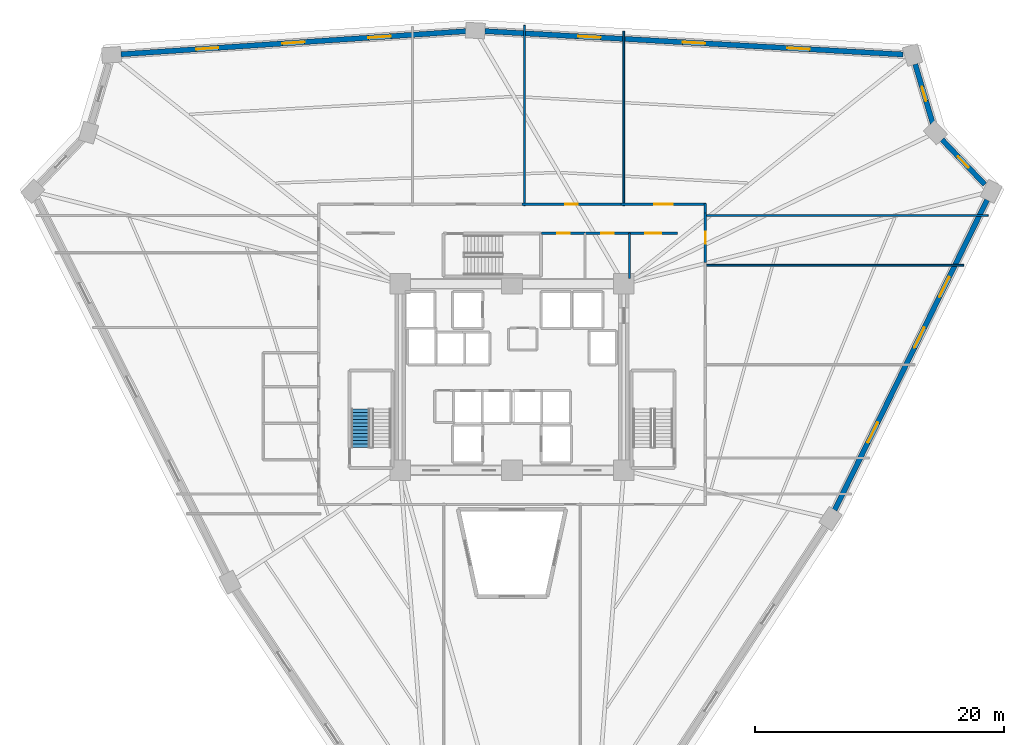
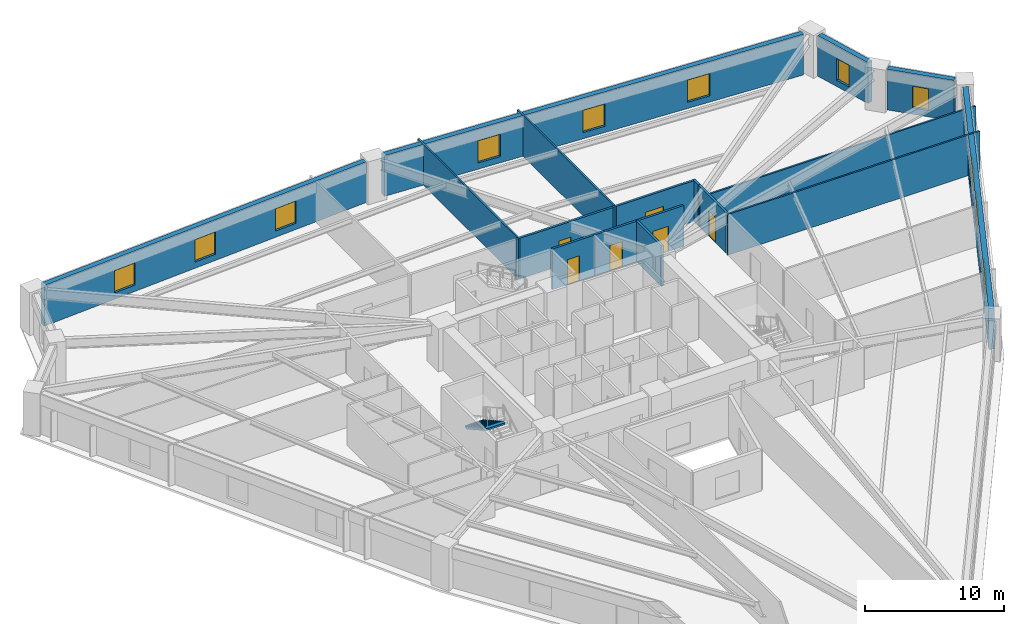
# One storey, part 7 of 9: 17 walls, 11 windows, 6 doors, 1 stair flight, 17 openings, 1 element without a shape of its own.
"""IFC4 building model written with IfcOpenShell, lengths in metres."""

from ifc_helpers import new_model, si_unit, direction, frame, frame_2d, origin, place, context, subcontext, project, spatial, polyline, rectangle, outline, extrude, source, transform, mapped, material, layer, layer_set, type_object, element, fill, aggregate, save


model = new_model("IFC4")

# Units and contexts
model_context = context("Model", 3, precision=1e-05, world=origin(), true_north=direction((0.0, 1.0)))
body_context = subcontext(model_context, "Body", "Model", "MODEL_VIEW")
ifc_project = project(units=[si_unit("LENGTHUNIT", "METRE"), si_unit("AREAUNIT", "SQUARE_METRE"), si_unit("VOLUMEUNIT", "CUBIC_METRE"), si_unit("PLANEANGLEUNIT", "RADIAN"), si_unit("MASSUNIT", "GRAM", prefix="KILO")], contexts=[model_context])

# Site, building, storey
site_placement = place(None, origin())
site = spatial("IfcSite", under=ifc_project, at=site_placement, CompositionType="ELEMENT")
building_placement = place(site_placement, origin())
building = spatial("IfcBuilding", under=site, at=building_placement, Name="Liaohun Quay Tower", CompositionType="ELEMENT")
storey_placement = place(building_placement, frame((0.0, 0.0, 55.5)))
storey = spatial("IfcBuildingStorey", under=building, at=storey_placement, Name="L14", CompositionType="ELEMENT", Elevation=55.5)

# Wall, openings, windows
ifc_material_1 = material(Name="Precast concrete C50 insulated sandwich", Category="concrete")
ifc_layer_1 = layer(ifc_material_1, 0.419921875, Name="Precast concrete C50 insulated sandwich", Category="concrete")
ifc_layer_set_1 = layer_set([ifc_layer_1], Name="Precast concrete C50 insulated sandwich")
wall_type_1 = type_object("IfcWallType", Name="WAL-EXT-Z12", PredefinedType="SOLIDWALL", material=ifc_layer_set_1)
wall_1_placement = place(storey_placement, frame((85.967041015625, 43.301025390625, 0.0), z_axis=(0.0, 0.0, 1.0), x_axis=(0.441079786623, 0.897467894597, 0.0)))
wall_1 = element("IfcWall", 1, at=wall_1_placement, inside=storey, type_object=wall_type_1, Name="L14 Brutalist Precast Pier Wall 03", PredefinedType="SOLIDWALL", context=body_context, shape_type="SweptSolid", body=[
    extrude(rectangle(XDim=27.813720703125, YDim=0.419921875, at=frame_2d((13.90673828125, 0.0))), origin(), (0.0, 0.0, 1.0), 3.570068359375),
])
shared_shape_1 = source(origin(), body_context, "Body", "SweptSolid", [
    extrude(rectangle(XDim=1.800048828125, YDim=1.949951171875, at=frame_2d((0.89990234375, 0.97509765625))), frame((0.0, 0.219970703125, 0.0), z_axis=(0.0, -1.0, 0.0), x_axis=(1.0, 0.0, 0.0)), (0.0, 0.0, 1.0), 0.43994140625),
])
opening_1_placement = place(wall_1_placement, frame((6.052978515625, 0.0, 0.550048828125)))
opening_1 = element("IfcOpeningElement", 2, at=opening_1_placement, cuts=wall_1, Name="Opening W01", PredefinedType="OPENING", context=body_context, shape_type="MappedRepresentation", body=[
    mapped(shared_shape_1, transform((0.0, 0.0, 0.0), x_axis=(1.0, 0.0, 0.0), y_axis=(0.0, 1.0, 0.0), z_axis=(0.0, 0.0, 1.0), scale=1.0)),
])
opening_2_placement = place(wall_1_placement, frame((14.556884765625, 0.0, 0.550048828125)))
opening_2 = element("IfcOpeningElement", 3, at=opening_2_placement, cuts=wall_1, Name="Opening W01", PredefinedType="OPENING", context=body_context, shape_type="MappedRepresentation", body=[
    mapped(shared_shape_1, transform((0.0, 0.0, 0.0), x_axis=(1.0, 0.0, 0.0), y_axis=(0.0, 1.0, 0.0), z_axis=(0.0, 0.0, 1.0), scale=1.0)),
])
opening_3_placement = place(wall_1_placement, frame((19.110107421875, 0.0, 0.550048828125)))
opening_3 = element("IfcOpeningElement", 4, at=opening_3_placement, cuts=wall_1, Name="Opening W01", PredefinedType="OPENING", context=body_context, shape_type="MappedRepresentation", body=[
    mapped(shared_shape_1, transform((0.0, 0.0, 0.0), x_axis=(1.0, 0.0, 0.0), y_axis=(0.0, 1.0, 0.0), z_axis=(0.0, 0.0, 1.0), scale=1.0)),
])
ifc_material_2 = material(Name="Triple Low-E argon glazing in thermally broken aluminium", Category="aluminium")
window_type_1 = type_object("IfcWindowType", Name="WIN-PUN-Z1", PartitioningType="DOUBLE_PANEL_VERTICAL", PredefinedType="WINDOW", material=ifc_material_2)
shared_shape_2 = source(origin(), body_context, "Body", "SweptSolid", [
    extrude(rectangle(XDim=1.800048828125, YDim=1.949951171875, at=frame_2d((0.89990234375, 0.97509765625))), frame((0.0, 0.030029296875, 0.0), z_axis=(0.0, -1.0, 0.0), x_axis=(1.0, 0.0, 0.0)), (0.0, 0.0, 1.0), 0.06005859375),
])
window_1_placement = place(opening_1_placement, origin())
window_1 = element("IfcWindow", 5, at=window_1_placement, inside=storey, type_object=window_type_1, Name="L14 Recessed Cold-Climate Punched Window 03-1", OverallHeight=1.949951171875, OverallWidth=1.800048828125, PartitioningType="DOUBLE_PANEL_VERTICAL", PredefinedType="WINDOW", context=body_context, shape_type="MappedRepresentation", body=[
    mapped(shared_shape_2, transform((0.0, 0.0, 0.0), x_axis=(1.0, 0.0, 0.0), y_axis=(0.0, 1.0, 0.0), z_axis=(0.0, 0.0, 1.0), scale=1.0)),
])
fill(opening_1, window_1)
window_2_placement = place(opening_2_placement, origin())
window_2 = element("IfcWindow", 6, at=window_2_placement, inside=storey, type_object=window_type_1, Name="L14 Recessed Cold-Climate Punched Window 03-2", OverallHeight=1.949951171875, OverallWidth=1.800048828125, PartitioningType="DOUBLE_PANEL_VERTICAL", PredefinedType="WINDOW", context=body_context, shape_type="MappedRepresentation", body=[
    mapped(shared_shape_2, transform((0.0, 0.0, 0.0), x_axis=(1.0, 0.0, 0.0), y_axis=(0.0, 1.0, 0.0), z_axis=(0.0, 0.0, 1.0), scale=1.0)),
])
fill(opening_2, window_2)
window_3_placement = place(opening_3_placement, origin())
window_3 = element("IfcWindow", 7, at=window_3_placement, inside=storey, type_object=window_type_1, Name="L14 Recessed Cold-Climate Punched Window 03-3", OverallHeight=1.949951171875, OverallWidth=1.800048828125, PartitioningType="DOUBLE_PANEL_VERTICAL", PredefinedType="WINDOW", context=body_context, shape_type="MappedRepresentation", body=[
    mapped(shared_shape_2, transform((0.0, 0.0, 0.0), x_axis=(1.0, 0.0, 0.0), y_axis=(0.0, 1.0, 0.0), z_axis=(0.0, 0.0, 1.0), scale=1.0)),
])
fill(opening_3, window_3)

# Wall, opening, window
wall_2_placement = place(storey_placement, frame((98.044921875, 69.50390625, 0.0), z_axis=(0.0, 0.0, 1.0), x_axis=(-0.689330241698, 0.724447249895, 0.0)))
wall_2 = element("IfcWall", 8, at=wall_2_placement, inside=storey, type_object=wall_type_1, Name="L14 Brutalist Precast Pier Wall 04", PredefinedType="SOLIDWALL", context=body_context, shape_type="SweptSolid", body=[
    extrude(rectangle(XDim=4.99169921875, YDim=0.419921875, at=frame_2d((2.495849609375, 0.0))), origin(), (0.0, 0.0, 1.0), 3.570068359375),
])
shared_shape_3 = source(origin(), body_context, "Body", "SweptSolid", [
    extrude(rectangle(XDim=1.199951171875, YDim=1.89990234375, at=frame_2d((0.60009765625, 0.949951171875))), frame((0.0, 0.219970703125, 0.0), z_axis=(0.0, -1.0, 0.0), x_axis=(1.0, 0.0, 0.0)), (0.0, 0.0, 1.0), 0.43994140625),
])
opening_4_placement = place(wall_2_placement, frame((1.89599609375, 0.0, 0.550048828125)))
opening_4 = element("IfcOpeningElement", 9, at=opening_4_placement, cuts=wall_2, Name="Opening W05", PredefinedType="OPENING", context=body_context, shape_type="MappedRepresentation", body=[
    mapped(shared_shape_3, transform((0.0, 0.0, 0.0), x_axis=(1.0, 0.0, 0.0), y_axis=(0.0, 1.0, 0.0), z_axis=(0.0, 0.0, 1.0), scale=1.0)),
])
ifc_material_3 = material(Name="Triple Low-E corner notch glazing", Category="glass")
window_type_2 = type_object("IfcWindowType", Name="WIN-NOTCH", PartitioningType="SINGLE_PANEL", PredefinedType="WINDOW", material=ifc_material_3)
shared_shape_4 = source(origin(), body_context, "Body", "SweptSolid", [
    extrude(rectangle(XDim=1.199951171875, YDim=1.89990234375, at=frame_2d((0.60009765625, 0.949951171875))), frame((0.0, 0.030029296875, 0.0), z_axis=(0.0, -1.0, 0.0), x_axis=(1.0, 0.0, 0.0)), (0.0, 0.0, 1.0), 0.06005859375),
])
window_4_placement = place(opening_4_placement, origin())
window_4 = element("IfcWindow", 10, at=window_4_placement, inside=storey, type_object=window_type_2, Name="L14 Corner Notch Window W05-04", OverallHeight=1.89990234375, OverallWidth=1.199951171875, PartitioningType="SINGLE_PANEL", PredefinedType="WINDOW", context=body_context, shape_type="MappedRepresentation", body=[
    mapped(shared_shape_4, transform((0.0, 0.0, 0.0), x_axis=(1.0, 0.0, 0.0), y_axis=(0.0, 1.0, 0.0), z_axis=(0.0, 0.0, 1.0), scale=1.0)),
])
fill(opening_4, window_4)

wall_3_placement = place(storey_placement, frame((93.861083984375, 74.407958984375, 0.0), z_axis=(0.0, 0.0, 1.0), x_axis=(-0.282900765271, 0.959149183917, 0.0)))
wall_3 = element("IfcWall", 11, at=wall_3_placement, inside=storey, type_object=wall_type_1, Name="L14 Brutalist Precast Pier Wall 05", PredefinedType="SOLIDWALL", context=body_context, shape_type="SweptSolid", body=[
    extrude(rectangle(XDim=4.984619140625, YDim=0.419921875, at=frame_2d((2.4921875, 0.0))), origin(), (0.0, 0.0, 1.0), 3.570068359375),
])
opening_5_placement = place(wall_3_placement, frame((1.89208984375, 0.0, 0.550048828125)))
opening_5 = element("IfcOpeningElement", 12, at=opening_5_placement, cuts=wall_3, Name="Opening W05", PredefinedType="OPENING", context=body_context, shape_type="MappedRepresentation", body=[
    mapped(shared_shape_3, transform((0.0, 0.0, 0.0), x_axis=(1.0, 0.0, 0.0), y_axis=(0.0, 1.0, 0.0), z_axis=(0.0, 0.0, 1.0), scale=1.0)),
])
window_5_placement = place(opening_5_placement, origin())
window_5 = element("IfcWindow", 13, at=window_5_placement, inside=storey, type_object=window_type_2, Name="L14 Corner Notch Window W05-05", OverallHeight=1.89990234375, OverallWidth=1.199951171875, PartitioningType="SINGLE_PANEL", PredefinedType="WINDOW", context=body_context, shape_type="MappedRepresentation", body=[
    mapped(shared_shape_4, transform((0.0, 0.0, 0.0), x_axis=(1.0, 0.0, 0.0), y_axis=(0.0, 1.0, 0.0), z_axis=(0.0, 0.0, 1.0), scale=1.0)),
])
fill(opening_5, window_5)

# Wall, openings, windows
wall_4_placement = place(storey_placement, frame((91.470947265625, 79.966064453125, 0.0), z_axis=(0.0, 0.0, 1.0), x_axis=(-0.998444156387, 0.055760797854, 0.0)))
wall_4 = element("IfcWall", 14, at=wall_4_placement, inside=storey, type_object=wall_type_1, Name="L14 Brutalist Precast Pier Wall 06", PredefinedType="SOLIDWALL", context=body_context, shape_type="SweptSolid", body=[
    extrude(rectangle(XDim=33.71337890625, YDim=0.419921875, at=frame_2d((16.856689453125, 0.0))), origin(), (0.0, 0.0, 1.0), 3.570068359375),
])
opening_6_placement = place(wall_4_placement, frame((7.528076171875, 0.0, 0.550048828125)))
opening_6 = element("IfcOpeningElement", 15, at=opening_6_placement, cuts=wall_4, Name="Opening W01", PredefinedType="OPENING", context=body_context, shape_type="MappedRepresentation", body=[
    mapped(shared_shape_1, transform((0.0, 0.0, 0.0), x_axis=(1.0, 0.0, 0.0), y_axis=(0.0, 1.0, 0.0), z_axis=(0.0, 0.0, 1.0), scale=1.0)),
])
opening_7_placement = place(wall_4_placement, frame((15.95703125, 0.0, 0.550048828125)))
opening_7 = element("IfcOpeningElement", 16, at=opening_7_placement, cuts=wall_4, Name="Opening W01", PredefinedType="OPENING", context=body_context, shape_type="MappedRepresentation", body=[
    mapped(shared_shape_1, transform((0.0, 0.0, 0.0), x_axis=(1.0, 0.0, 0.0), y_axis=(0.0, 1.0, 0.0), z_axis=(0.0, 0.0, 1.0), scale=1.0)),
])
opening_8_placement = place(wall_4_placement, frame((24.385009765625, 0.0, 0.550048828125)))
opening_8 = element("IfcOpeningElement", 17, at=opening_8_placement, cuts=wall_4, Name="Opening W01", PredefinedType="OPENING", context=body_context, shape_type="MappedRepresentation", body=[
    mapped(shared_shape_1, transform((0.0, 0.0, 0.0), x_axis=(1.0, 0.0, 0.0), y_axis=(0.0, 1.0, 0.0), z_axis=(0.0, 0.0, 1.0), scale=1.0)),
])
window_6_placement = place(opening_6_placement, origin())
window_6 = element("IfcWindow", 18, at=window_6_placement, inside=storey, type_object=window_type_1, Name="L14 Recessed Cold-Climate Punched Window 06-1", OverallHeight=1.949951171875, OverallWidth=1.800048828125, PartitioningType="DOUBLE_PANEL_VERTICAL", PredefinedType="WINDOW", context=body_context, shape_type="MappedRepresentation", body=[
    mapped(shared_shape_2, transform((0.0, 0.0, 0.0), x_axis=(1.0, 0.0, 0.0), y_axis=(0.0, 1.0, 0.0), z_axis=(0.0, 0.0, 1.0), scale=1.0)),
])
fill(opening_6, window_6)
window_7_placement = place(opening_7_placement, origin())
window_7 = element("IfcWindow", 19, at=window_7_placement, inside=storey, type_object=window_type_1, Name="L14 Recessed Cold-Climate Punched Window 06-2", OverallHeight=1.949951171875, OverallWidth=1.800048828125, PartitioningType="DOUBLE_PANEL_VERTICAL", PredefinedType="WINDOW", context=body_context, shape_type="MappedRepresentation", body=[
    mapped(shared_shape_2, transform((0.0, 0.0, 0.0), x_axis=(1.0, 0.0, 0.0), y_axis=(0.0, 1.0, 0.0), z_axis=(0.0, 0.0, 1.0), scale=1.0)),
])
fill(opening_7, window_7)
window_8_placement = place(opening_8_placement, origin())
window_8 = element("IfcWindow", 20, at=window_8_placement, inside=storey, type_object=window_type_1, Name="L14 Recessed Cold-Climate Punched Window 06-3", OverallHeight=1.949951171875, OverallWidth=1.800048828125, PartitioningType="DOUBLE_PANEL_VERTICAL", PredefinedType="WINDOW", context=body_context, shape_type="MappedRepresentation", body=[
    mapped(shared_shape_2, transform((0.0, 0.0, 0.0), x_axis=(1.0, 0.0, 0.0), y_axis=(0.0, 1.0, 0.0), z_axis=(0.0, 0.0, 1.0), scale=1.0)),
])
fill(opening_8, window_8)

wall_5_placement = place(storey_placement, frame((56.282958984375, 81.837890625, 0.0), z_axis=(0.0, 0.0, 1.0), x_axis=(-0.99776671065, -0.066795142933, 0.0)))
wall_5 = element("IfcWall", 21, at=wall_5_placement, inside=storey, type_object=wall_type_1, Name="L14 Brutalist Precast Pier Wall 07", PredefinedType="SOLIDWALL", context=body_context, shape_type="SweptSolid", body=[
    extrude(rectangle(XDim=27.81494140625, YDim=0.419921875, at=frame_2d((13.907470703125, 0.0))), origin(), (0.0, 0.0, 1.0), 3.570068359375),
])
opening_9_placement = place(wall_5_placement, frame((6.053955078125, 0.0, 0.550048828125)))
opening_9 = element("IfcOpeningElement", 22, at=opening_9_placement, cuts=wall_5, Name="Opening W01", PredefinedType="OPENING", context=body_context, shape_type="MappedRepresentation", body=[
    mapped(shared_shape_1, transform((0.0, 0.0, 0.0), x_axis=(1.0, 0.0, 0.0), y_axis=(0.0, 1.0, 0.0), z_axis=(0.0, 0.0, 1.0), scale=1.0)),
])
opening_10_placement = place(wall_5_placement, frame((13.008056640625, 0.0, 0.550048828125)))
opening_10 = element("IfcOpeningElement", 23, at=opening_10_placement, cuts=wall_5, Name="Opening W01", PredefinedType="OPENING", context=body_context, shape_type="MappedRepresentation", body=[
    mapped(shared_shape_1, transform((0.0, 0.0, 0.0), x_axis=(1.0, 0.0, 0.0), y_axis=(0.0, 1.0, 0.0), z_axis=(0.0, 0.0, 1.0), scale=1.0)),
])
opening_11_placement = place(wall_5_placement, frame((19.9609375, 0.0, 0.550048828125)))
opening_11 = element("IfcOpeningElement", 24, at=opening_11_placement, cuts=wall_5, Name="Opening W01", PredefinedType="OPENING", context=body_context, shape_type="MappedRepresentation", body=[
    mapped(shared_shape_1, transform((0.0, 0.0, 0.0), x_axis=(1.0, 0.0, 0.0), y_axis=(0.0, 1.0, 0.0), z_axis=(0.0, 0.0, 1.0), scale=1.0)),
])
window_9_placement = place(opening_9_placement, origin())
window_9 = element("IfcWindow", 25, at=window_9_placement, inside=storey, type_object=window_type_1, Name="L14 Recessed Cold-Climate Punched Window 07-1", OverallHeight=1.949951171875, OverallWidth=1.800048828125, PartitioningType="DOUBLE_PANEL_VERTICAL", PredefinedType="WINDOW", context=body_context, shape_type="MappedRepresentation", body=[
    mapped(shared_shape_2, transform((0.0, 0.0, 0.0), x_axis=(1.0, 0.0, 0.0), y_axis=(0.0, 1.0, 0.0), z_axis=(0.0, 0.0, 1.0), scale=1.0)),
])
fill(opening_9, window_9)
window_10_placement = place(opening_10_placement, origin())
window_10 = element("IfcWindow", 26, at=window_10_placement, inside=storey, type_object=window_type_1, Name="L14 Recessed Cold-Climate Punched Window 07-2", OverallHeight=1.949951171875, OverallWidth=1.800048828125, PartitioningType="DOUBLE_PANEL_VERTICAL", PredefinedType="WINDOW", context=body_context, shape_type="MappedRepresentation", body=[
    mapped(shared_shape_2, transform((0.0, 0.0, 0.0), x_axis=(1.0, 0.0, 0.0), y_axis=(0.0, 1.0, 0.0), z_axis=(0.0, 0.0, 1.0), scale=1.0)),
])
fill(opening_10, window_10)
window_11_placement = place(opening_11_placement, origin())
window_11 = element("IfcWindow", 27, at=window_11_placement, inside=storey, type_object=window_type_1, Name="L14 Recessed Cold-Climate Punched Window 07-3", OverallHeight=1.949951171875, OverallWidth=1.800048828125, PartitioningType="DOUBLE_PANEL_VERTICAL", PredefinedType="WINDOW", context=body_context, shape_type="MappedRepresentation", body=[
    mapped(shared_shape_2, transform((0.0, 0.0, 0.0), x_axis=(1.0, 0.0, 0.0), y_axis=(0.0, 1.0, 0.0), z_axis=(0.0, 0.0, 1.0), scale=1.0)),
])
fill(opening_11, window_11)

# Wall, opening, door
ifc_material_4 = material(Name="Autoclaved aerated concrete blockwork", Category="masonry")
ifc_layer_2 = layer(ifc_material_4, 0.179931640625, Name="Autoclaved aerated concrete blockwork", Category="masonry")
ifc_layer_set_2 = layer_set([ifc_layer_2], Name="Autoclaved aerated concrete blockwork")
wall_type_2 = type_object("IfcWallType", Name="WAL-PRT-COR", PredefinedType="PARTITIONING", material=ifc_layer_set_2)
wall_6_placement = place(storey_placement, frame((62.389892578125, 65.580078125, 0.0), z_axis=(0.0, 0.0, 1.0), x_axis=(1.0, 0.0, 0.0)))
wall_6 = element("IfcWall", 28, at=wall_6_placement, inside=storey, type_object=wall_type_2, Name="L14 Interior Partition Wall 006", PredefinedType="PARTITIONING", context=body_context, shape_type="SweptSolid", body=[
    extrude(rectangle(XDim=3.489990234375, YDim=0.179931640625, at=frame_2d((1.7451171875, 0.0))), origin(), (0.0, 0.0, 1.0), 3.570068359375),
])
shared_shape_5 = source(origin(), body_context, "Body", "SweptSolid", [
    extrude(rectangle(XDim=1.0, YDim=2.199951171875, at=frame_2d((0.5, 1.10009765625))), frame((0.0, 0.099853515625, 0.0), z_axis=(0.0, -1.0, 0.0), x_axis=(1.0, 0.0, 0.0)), (0.0, 0.0, 1.0), 0.199951171875),
])
opening_12_placement = place(wall_6_placement, frame((1.2451171875, 0.0, 0.0)))
opening_12 = element("IfcOpeningElement", 29, at=opening_12_placement, cuts=wall_6, Name="Opening OD1", PredefinedType="OPENING", context=body_context, shape_type="MappedRepresentation", body=[
    mapped(shared_shape_5, transform((0.0, 0.0, 0.0), x_axis=(1.0, 0.0, 0.0), y_axis=(0.0, 1.0, 0.0), z_axis=(0.0, 0.0, 1.0), scale=1.0)),
])
ifc_material_5 = material(Name="Solid-core oak veneer timber leaf in steel frame", Category="steel")
door_type_1 = type_object("IfcDoorType", Name="DOR-OFF-1000", OperationType="NOTDEFINED", PredefinedType="DOOR", material=ifc_material_5)
shared_shape_6 = source(origin(), body_context, "Body", "SweptSolid", [
    extrude(rectangle(XDim=1.0, YDim=2.199951171875, at=frame_2d((0.5, 1.10009765625))), frame((0.0, 0.02490234375, 0.0), z_axis=(0.0, -1.0, 0.0), x_axis=(1.0, 0.0, 0.0)), (0.0, 0.0, 1.0), 0.050048828125),
])
door_1_placement = place(opening_12_placement, origin())
door_1 = element("IfcDoor", 30, at=door_1_placement, inside=storey, type_object=door_type_1, Name="L14 North-East Archive Store Door", OperationType="SINGLE_SWING_RIGHT", OverallHeight=2.199951171875, OverallWidth=1.0, PredefinedType="DOOR", context=body_context, shape_type="MappedRepresentation", body=[
    mapped(shared_shape_6, transform((0.0, 0.0, 0.0), x_axis=(1.0, 0.0, 0.0), y_axis=(0.0, 1.0, 0.0), z_axis=(0.0, 0.0, 1.0), scale=1.0)),
])
fill(opening_12, door_1)

wall_7_placement = place(storey_placement, frame((65.919921875, 65.580078125, 0.0), z_axis=(0.0, 0.0, 1.0), x_axis=(1.0, 0.0, 0.0)))
wall_7 = element("IfcWall", 31, at=wall_7_placement, inside=storey, type_object=wall_type_2, Name="L14 Interior Partition Wall 007", PredefinedType="PARTITIONING", context=body_context, shape_type="SweptSolid", body=[
    extrude(rectangle(XDim=3.5400390625, YDim=0.179931640625, at=frame_2d((1.77001953125, 0.0))), origin(), (0.0, 0.0, 1.0), 3.570068359375),
])
opening_13_placement = place(wall_7_placement, frame((1.27001953125, 0.0, 0.0)))
opening_13 = element("IfcOpeningElement", 32, at=opening_13_placement, cuts=wall_7, Name="Opening OD1", PredefinedType="OPENING", context=body_context, shape_type="MappedRepresentation", body=[
    mapped(shared_shape_5, transform((0.0, 0.0, 0.0), x_axis=(1.0, 0.0, 0.0), y_axis=(0.0, 1.0, 0.0), z_axis=(0.0, 0.0, 1.0), scale=1.0)),
])
door_2_placement = place(opening_13_placement, origin())
door_2 = element("IfcDoor", 33, at=door_2_placement, inside=storey, type_object=door_type_1, Name="L14 North-East Pantry Room Door", OperationType="SINGLE_SWING_LEFT", OverallHeight=2.199951171875, OverallWidth=1.0, PredefinedType="DOOR", context=body_context, shape_type="MappedRepresentation", body=[
    mapped(shared_shape_6, transform((0.0, 0.0, 0.0), x_axis=(1.0, 0.0, 0.0), y_axis=(0.0, 1.0, 0.0), z_axis=(0.0, 0.0, 1.0), scale=1.0)),
])
fill(opening_13, door_2)

wall_8_placement = place(storey_placement, frame((69.4599609375, 65.580078125, 0.0), z_axis=(0.0, 0.0, 1.0), x_axis=(1.0, 0.0, 0.0)))
wall_8 = element("IfcWall", 34, at=wall_8_placement, inside=storey, type_object=wall_type_2, Name="L14 Interior Partition Wall 009", PredefinedType="PARTITIONING", context=body_context, shape_type="SweptSolid", body=[
    extrude(rectangle(XDim=3.840087890625, YDim=0.179931640625, at=frame_2d((1.919921875, 0.0))), origin(), (0.0, 0.0, 1.0), 3.570068359375),
])
shared_shape_7 = source(origin(), body_context, "Body", "SweptSolid", [
    extrude(rectangle(XDim=1.300048828125, YDim=2.199951171875, at=frame_2d((0.64990234375, 1.10009765625))), frame((0.0, 0.099853515625, 0.0), z_axis=(0.0, -1.0, 0.0), x_axis=(1.0, 0.0, 0.0)), (0.0, 0.0, 1.0), 0.199951171875),
])
opening_14_placement = place(wall_8_placement, frame((1.27001953125, 0.0, 0.0)))
opening_14 = element("IfcOpeningElement", 35, at=opening_14_placement, cuts=wall_8, Name="Opening FD1", PredefinedType="OPENING", context=body_context, shape_type="MappedRepresentation", body=[
    mapped(shared_shape_7, transform((0.0, 0.0, 0.0), x_axis=(1.0, 0.0, 0.0), y_axis=(0.0, 1.0, 0.0), z_axis=(0.0, 0.0, 1.0), scale=1.0)),
])
ifc_material_6 = material(Name="Galvanised steel smokeproof fire door", Category="steel")
door_type_2 = type_object("IfcDoorType", Name="DOR-FFL-1300", OperationType="NOTDEFINED", PredefinedType="DOOR", material=ifc_material_6)
shared_shape_8 = source(origin(), body_context, "Body", "SweptSolid", [
    extrude(rectangle(XDim=1.300048828125, YDim=2.199951171875, at=frame_2d((0.64990234375, 1.10009765625))), frame((0.0, 0.02490234375, 0.0), z_axis=(0.0, -1.0, 0.0), x_axis=(1.0, 0.0, 0.0)), (0.0, 0.0, 1.0), 0.050048828125),
])
door_3_placement = place(opening_14_placement, origin())
door_3 = element("IfcDoor", 36, at=door_3_placement, inside=storey, type_object=door_type_2, Name="L14 East Core Vestibule Door", OperationType="SINGLE_SWING_LEFT", OverallHeight=2.199951171875, OverallWidth=1.300048828125, PredefinedType="DOOR", context=body_context, shape_type="MappedRepresentation", body=[
    mapped(shared_shape_8, transform((0.0, 0.0, 0.0), x_axis=(1.0, 0.0, 0.0), y_axis=(0.0, 1.0, 0.0), z_axis=(0.0, 0.0, 1.0), scale=1.0)),
])
fill(opening_14, door_3)

wall_9_placement = place(storey_placement, frame((75.56005859375, 67.215087890625, 0.0), z_axis=(0.0, 0.0, 1.0), x_axis=(0.0, -1.0, 0.0)))
wall_9 = element("IfcWall", 37, at=wall_9_placement, inside=storey, type_object=wall_type_2, Name="L14 Interior Partition Wall 011", PredefinedType="PARTITIONING", context=body_context, shape_type="SweptSolid", body=[
    extrude(rectangle(XDim=4.0, YDim=0.179931640625, at=frame_2d((2.0, 0.0))), origin(), (0.0, 0.0, 1.0), 3.570068359375),
])
opening_15_placement = place(wall_9_placement, frame((1.5, 0.0, 0.0)))
opening_15 = element("IfcOpeningElement", 38, at=opening_15_placement, cuts=wall_9, Name="Opening OD1", PredefinedType="OPENING", context=body_context, shape_type="MappedRepresentation", body=[
    mapped(shared_shape_5, transform((0.0, 0.0, 0.0), x_axis=(1.0, 0.0, 0.0), y_axis=(0.0, 1.0, 0.0), z_axis=(0.0, 0.0, 1.0), scale=1.0)),
])
door_4_placement = place(opening_15_placement, origin())
door_4 = element("IfcDoor", 39, at=door_4_placement, inside=storey, type_object=door_type_1, Name="L14 Digital Prototyping Laboratory 02 Door", OperationType="SINGLE_SWING_LEFT", OverallHeight=2.199951171875, OverallWidth=1.0, PredefinedType="DOOR", context=body_context, shape_type="MappedRepresentation", body=[
    mapped(shared_shape_6, transform((0.0, 0.0, 0.0), x_axis=(1.0, 0.0, 0.0), y_axis=(0.0, 1.0, 0.0), z_axis=(0.0, 0.0, 1.0), scale=1.0)),
])
fill(opening_15, door_4)

wall_10_placement = place(storey_placement, frame((68.784912109375, 67.909912109375, 0.0), z_axis=(0.0, 0.0, 1.0), x_axis=(1.0, 0.0, 0.0)))
wall_10 = element("IfcWall", 40, at=wall_10_placement, inside=storey, type_object=wall_type_2, Name="L14 Interior Partition Wall 012", PredefinedType="PARTITIONING", context=body_context, shape_type="SweptSolid", body=[
    extrude(rectangle(XDim=6.844970703125, YDim=0.179931640625, at=frame_2d((3.42236328125, 0.0))), origin(), (0.0, 0.0, 1.0), 3.570068359375),
])
shared_shape_9 = source(origin(), body_context, "Body", "SweptSolid", [
    extrude(rectangle(XDim=1.5, YDim=2.199951171875, at=frame_2d((0.75, 1.10009765625))), frame((0.0, 0.099853515625, 0.0), z_axis=(0.0, -1.0, 0.0), x_axis=(1.0, 0.0, 0.0)), (0.0, 0.0, 1.0), 0.199951171875),
])
opening_16_placement = place(wall_10_placement, frame((2.672119140625, 0.0, 0.0)))
opening_16 = element("IfcOpeningElement", 41, at=opening_16_placement, cuts=wall_10, Name="Opening OD2", PredefinedType="OPENING", context=body_context, shape_type="MappedRepresentation", body=[
    mapped(shared_shape_9, transform((0.0, 0.0, 0.0), x_axis=(1.0, 0.0, 0.0), y_axis=(0.0, 1.0, 0.0), z_axis=(0.0, 0.0, 1.0), scale=1.0)),
])
ifc_material_7 = material(Name="Acoustic oak veneer double door")
door_type_3 = type_object("IfcDoorType", Name="DOR-OFF-1500", OperationType="DOUBLE_DOOR_SINGLE_SWING", PredefinedType="DOOR", material=ifc_material_7)
shared_shape_10 = source(origin(), body_context, "Body", "SweptSolid", [
    extrude(rectangle(XDim=1.5, YDim=2.199951171875, at=frame_2d((0.75, 1.10009765625))), frame((0.0, 0.02490234375, 0.0), z_axis=(0.0, -1.0, 0.0), x_axis=(1.0, 0.0, 0.0)), (0.0, 0.0, 1.0), 0.050048828125),
])
door_5_placement = place(opening_16_placement, origin())
door_5 = element("IfcDoor", 42, at=door_5_placement, inside=storey, type_object=door_type_3, Name="L14 Architectural Design Studio 03 Door", OperationType="DOUBLE_DOOR_SINGLE_SWING", OverallHeight=2.199951171875, OverallWidth=1.5, PredefinedType="DOOR", context=body_context, shape_type="MappedRepresentation", body=[
    mapped(shared_shape_10, transform((0.0, 0.0, 0.0), x_axis=(1.0, 0.0, 0.0), y_axis=(0.0, 1.0, 0.0), z_axis=(0.0, 0.0, 1.0), scale=1.0)),
])
fill(opening_16, door_5)

wall_11_placement = place(storey_placement, frame((60.784912109375, 67.909912109375, 0.0), z_axis=(0.0, 0.0, 1.0), x_axis=(1.0, 0.0, 0.0)))
wall_11 = element("IfcWall", 43, at=wall_11_placement, inside=storey, type_object=wall_type_2, Name="L14 Interior Partition Wall 013", PredefinedType="PARTITIONING", context=body_context, shape_type="SweptSolid", body=[
    extrude(rectangle(XDim=8.0, YDim=0.179931640625, at=frame_2d((4.0, 0.0))), origin(), (0.0, 0.0, 1.0), 3.570068359375),
])
opening_17_placement = place(wall_11_placement, frame((3.5, 0.0, 0.0)))
opening_17 = element("IfcOpeningElement", 44, at=opening_17_placement, cuts=wall_11, Name="Opening OD1", PredefinedType="OPENING", context=body_context, shape_type="MappedRepresentation", body=[
    mapped(shared_shape_5, transform((0.0, 0.0, 0.0), x_axis=(1.0, 0.0, 0.0), y_axis=(0.0, 1.0, 0.0), z_axis=(0.0, 0.0, 1.0), scale=1.0)),
])
door_6_placement = place(opening_17_placement, origin())
door_6 = element("IfcDoor", 45, at=door_6_placement, inside=storey, type_object=door_type_1, Name="L14 Project Collaboration Studio 04 Door", OperationType="SINGLE_SWING_LEFT", OverallHeight=2.199951171875, OverallWidth=1.0, PredefinedType="DOOR", context=body_context, shape_type="MappedRepresentation", body=[
    mapped(shared_shape_6, transform((0.0, 0.0, 0.0), x_axis=(1.0, 0.0, 0.0), y_axis=(0.0, 1.0, 0.0), z_axis=(0.0, 0.0, 1.0), scale=1.0)),
])
fill(opening_17, door_6)

# Walls
wall_12_placement = place(storey_placement, frame((69.4599609375, 61.949951171875, 0.0), z_axis=(0.0, 0.0, 1.0), x_axis=(0.0, 1.0, 0.0)))
element("IfcWall", 46, at=wall_12_placement, inside=storey, type_object=wall_type_2, Name="L14 Interior Partition Wall 035", PredefinedType="PARTITIONING", context=body_context, shape_type="SweptSolid", body=[
    extrude(rectangle(XDim=3.630126953125, YDim=0.179931640625, at=frame_2d((1.81494140625, 0.0))), origin(), (0.0, 0.0, 1.0), 3.570068359375),
])
wall_13_placement = place(storey_placement, frame((75.56005859375, 67.97998046875, 0.0), z_axis=(0.0, 0.0, 1.0), x_axis=(0.0, -1.0, 0.0)))
element("IfcWall", 47, at=wall_13_placement, inside=storey, type_object=wall_type_2, Name="L14 Interior Partition Wall 036", PredefinedType="PARTITIONING", context=body_context, shape_type="SweptSolid", body=[
    extrude(rectangle(XDim=0.764892578125, YDim=0.179931640625, at=frame_2d((0.38232421875, 0.0))), origin(), (0.0, 0.0, 1.0), 3.570068359375),
])
ifc_material_8 = material(Name="Gypsum board on twin steel studs", Category="steel")
ifc_layer_3 = layer(ifc_material_8, 0.139892578125, Name="Gypsum board on twin steel studs", Category="steel")
ifc_layer_set_3 = layer_set([ifc_layer_3], Name="Gypsum board on twin steel studs")
wall_type_3 = type_object("IfcWallType", Name="WAL-PRT-OFF", PredefinedType="PARTITIONING", material=ifc_layer_set_3)
wall_14_placement = place(storey_placement, frame((75.4599609375, 63.0, 0.0), z_axis=(0.0, 0.0, 1.0), x_axis=(1.0, 0.0, 0.0)))
element("IfcWall", 48, at=wall_14_placement, inside=storey, type_object=wall_type_3, Name="L14 Interior Partition Wall 049", PredefinedType="PARTITIONING", context=body_context, shape_type="SweptSolid", body=[
    extrude(rectangle(XDim=20.89013671875, YDim=0.139892578125, at=frame_2d((10.445068359375, 0.0))), origin(), (0.0, 0.0, 1.0), 3.570068359375),
])
wall_15_placement = place(storey_placement, frame((75.4599609375, 67.0, 0.0), z_axis=(0.0, 0.0, 1.0), x_axis=(1.0, 0.0, 0.0)))
element("IfcWall", 49, at=wall_15_placement, inside=storey, type_object=wall_type_3, Name="L14 Interior Partition Wall 050", PredefinedType="PARTITIONING", context=body_context, shape_type="SweptSolid", body=[
    extrude(rectangle(XDim=22.85498046875, YDim=0.139892578125, at=frame_2d((11.427490234375, 0.0))), origin(), (0.0, 0.0, 1.0), 2.655029296875),
])
wall_16_placement = place(storey_placement, frame((61.0, 67.81005859375, 0.0), z_axis=(0.0, 0.0, 1.0), x_axis=(0.0, 1.0, 0.0)))
element("IfcWall", 50, at=wall_16_placement, inside=storey, type_object=wall_type_3, Name="L14 Interior Partition Wall 052", PredefinedType="PARTITIONING", context=body_context, shape_type="SweptSolid", body=[
    extrude(rectangle(XDim=14.489013671875, YDim=0.139892578125, at=frame_2d((7.24462890625, 0.0))), origin(), (0.0, 0.0, 1.0), 3.570068359375),
])
wall_17_placement = place(storey_placement, frame((69.0, 67.81005859375, 0.0), z_axis=(0.0, 0.0, 1.0), x_axis=(0.0, 1.0, 0.0)))
element("IfcWall", 51, at=wall_17_placement, inside=storey, type_object=wall_type_3, Name="L14 Interior Partition Wall 053", PredefinedType="PARTITIONING", context=body_context, shape_type="SweptSolid", body=[
    extrude(rectangle(XDim=14.0419921875, YDim=0.139892578125, at=frame_2d((7.02099609375, 0.0))), origin(), (0.0, 0.0, 1.0), 3.570068359375),
])

# Stair, stair flight
ifc_material_9 = material(Name="Concrete C45", Category="concrete")
stair_type = type_object("IfcStairType", Name="STR-CORE-OFF", PredefinedType="HALF_TURN_STAIR", material=ifc_material_9)
stair_placement = place(storey_placement, origin())
stair = element("IfcStair", 52, at=stair_placement, inside=storey, type_object=stair_type, Name="L14 Smokeproof Core Exit Stair ST-1", PredefinedType="HALF_TURN_STAIR")
stair_flight_type = type_object("IfcStairFlightType", Name="FLT-CORE-155", PredefinedType="STRAIGHT", material=ifc_material_9)
stair_flight_placement = place(storey_placement, frame((47.81494140625, 51.429931640625, 1.875), z_axis=(0.0, 0.0, 1.0), x_axis=(0.0, -1.0, 0.0)))
stair_flight = element("IfcStairFlight", 53, at=stair_flight_placement, type_object=stair_flight_type, Name="ST-1 flight 2", NumberOfRisers=12, NumberOfTreads=11, PredefinedType="STRAIGHT", RiserHeight=0.15625, TreadLength=0.28, context=body_context, shape_type="SweptSolid", body=[
    extrude(outline(polyline([(0.0, 0.0), (0.0, 0.15625), (0.280029296875, 0.15625), (0.280029296875, 0.3125), (0.56005859375, 0.3125), (0.56005859375, 0.46875), (0.840087890625, 0.46875), (0.840087890625, 0.625), (1.1201171875, 0.625), (1.1201171875, 0.78125), (1.39990234375, 0.78125), (1.39990234375, 0.9375), (1.679931640625, 0.9375), (1.679931640625, 1.09375), (1.9599609375, 1.09375), (1.9599609375, 1.25), (2.239990234375, 1.25), (2.239990234375, 1.40625), (2.52001953125, 1.40625), (2.52001953125, 1.5625), (2.800048828125, 1.5625), (2.800048828125, 1.71875), (3.080078125, 1.71875), (3.080078125, 1.875), (3.080078125, 1.547119140625), (0.3076171875, 0.0), (0.0, 0.0)])), frame((0.0, 0.77490234375, 0.0), z_axis=(0.0, -1.0, 0.0), x_axis=(1.0, 0.0, 0.0)), (0.0, 0.0, 1.0), 1.550048828125),
])
aggregate(stair, [stair_flight])

save(model, "model.ifc")
